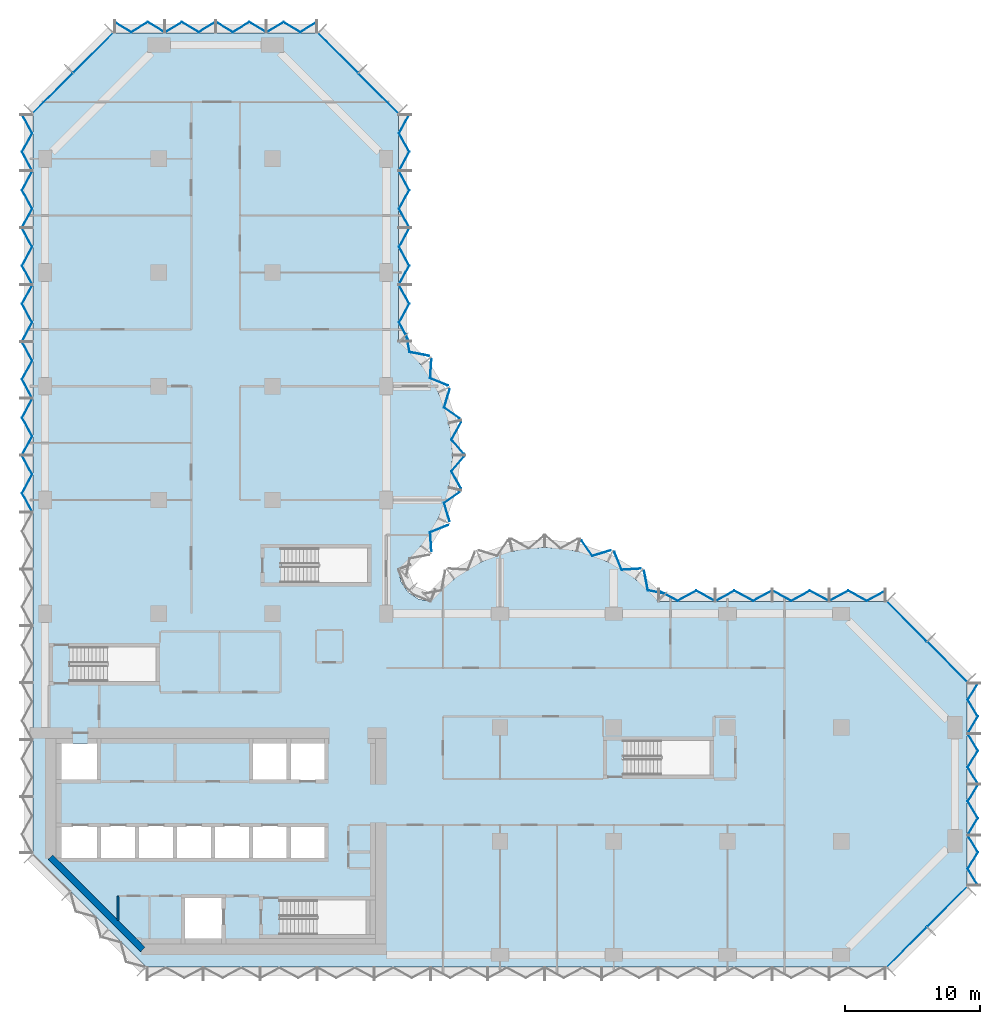
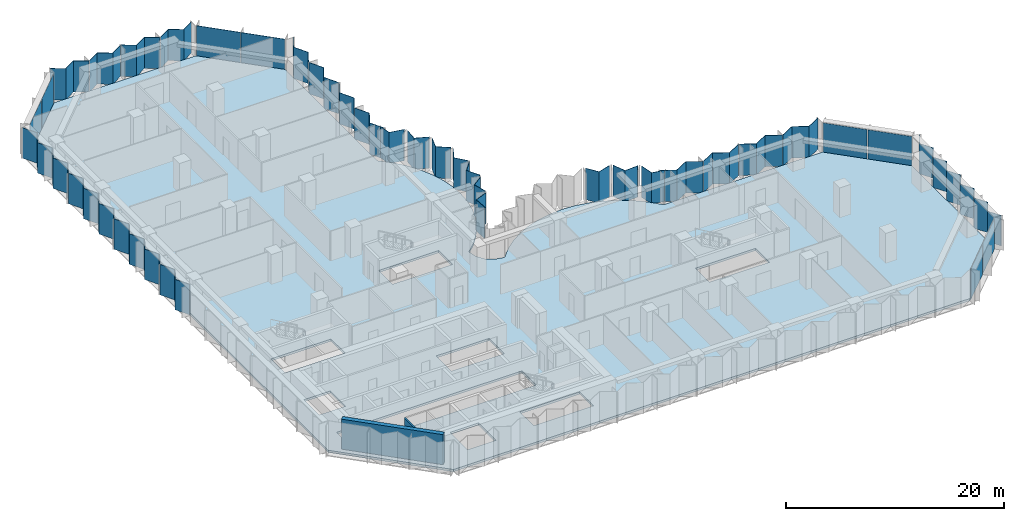
# One storey, part 6 of 13: 41 plates, 2 walls, 1 slab, 11 elements without a shape of their own.
"""IFC4 building model written with IfcOpenShell, lengths in metres."""

from ifc_helpers import new_model, si_unit, direction, frame, frame_2d, origin, place, context, subcontext, project, spatial, polyline, rectangle, outline, extrude, material, layer, layer_set, type_object, element, aggregate, save


model = new_model("IFC4")

# Units and contexts
model_context = context("Model", 3, precision=1e-05, world=origin(), true_north=direction((0.0, 1.0)))
body_context = subcontext(model_context, "Body", "Model", "MODEL_VIEW")
ifc_project = project(units=[si_unit("LENGTHUNIT", "METRE"), si_unit("AREAUNIT", "SQUARE_METRE"), si_unit("VOLUMEUNIT", "CUBIC_METRE"), si_unit("PLANEANGLEUNIT", "RADIAN"), si_unit("MASSUNIT", "GRAM", prefix="KILO")], contexts=[model_context])

# Site, building, storey
site_placement = place(None, origin())
site = spatial("IfcSite", under=ifc_project, at=site_placement, CompositionType="ELEMENT")
building_placement = place(site_placement, origin())
building = spatial("IfcBuilding", under=site, at=building_placement, Name="Brevane Broadcast Tower", CompositionType="ELEMENT")
storey_placement = place(building_placement, frame((0.0, 0.0, 131.300048828125)))
storey = spatial("IfcBuildingStorey", under=building, at=storey_placement, Name="L32", CompositionType="ELEMENT", Elevation=131.300048828125)

# Curtain wall, plates
ifc_material_1 = material(Name="Aluminium 6063-T6 bronze anodised", Category="aluminium")
curtain_wall_type = type_object("IfcCurtainWallType", Name="CW-1 curtain wall", PredefinedType="NOTDEFINED", material=ifc_material_1)
curtain_wall_1_placement = place(storey_placement, origin())
curtain_wall_1 = element("IfcCurtainWall", 1, at=curtain_wall_1_placement, inside=storey, type_object=curtain_wall_type, Name="CW-1 typical tilted unit L32 south-east chamfer", PredefinedType="NOTDEFINED")
ifc_material_2 = material(Name="Laminated glass bronze-tinted", Category="glass")
ifc_layer_1 = layer(ifc_material_2, 0.0400390625)
ifc_layer_set_1 = layer_set([ifc_layer_1], Name="CW tall glass panel 40")
plate_type = type_object("IfcPlateType", Name="CW tall glass panel 40", PredefinedType="CURTAIN_PANEL", material=ifc_layer_set_1)
plate_1_placement = place(storey_placement, frame((0.0, 0.0, -0.150146484375)))
plate_1 = element("IfcPlate", 2, at=plate_1_placement, type_object=plate_type, Name="CW-1 glass panel", PredefinedType="CURTAIN_PANEL", context=body_context, shape_type="SweptSolid", body=[
    extrude(outline(polyline([(62.14599609375, -0.896484375), (65.096435546875, 2.053955078125), (65.124755859375, 2.02587890625), (62.17431640625, -0.9248046875), (62.14599609375, -0.896484375)])), origin(), (0.0, 0.0, 1.0), 3.400146484375),
])
plate_2_placement = place(storey_placement, frame((0.0, 0.0, -0.150146484375)))
plate_2 = element("IfcPlate", 3, at=plate_2_placement, type_object=plate_type, Name="CW-1 glass panel", PredefinedType="CURTAIN_PANEL", context=body_context, shape_type="SweptSolid", body=[
    extrude(outline(polyline([(65.14599609375, 2.103515625), (68.096435546875, 5.053955078125), (68.124755859375, 5.02587890625), (65.17431640625, 2.0751953125), (65.14599609375, 2.103515625)])), origin(), (0.0, 0.0, 1.0), 3.400146484375),
])
aggregate(curtain_wall_1, [plate_1, plate_2])

curtain_wall_2_placement = place(storey_placement, origin())
curtain_wall_2 = element("IfcCurtainWall", 4, at=curtain_wall_2_placement, inside=storey, type_object=curtain_wall_type, Name="CW-1 typical tilted unit L32 east end", PredefinedType="NOTDEFINED")
plate_3_placement = place(storey_placement, frame((0.0, 0.0, -0.150146484375)))
plate_3 = element("IfcPlate", 5, at=plate_3_placement, type_object=plate_type, Name="CW-1 glass panel", PredefinedType="CURTAIN_PANEL", context=body_context, shape_type="SweptSolid", body=[
    extrude(outline(polyline([(68.87109375, 5.135009765625), (68.917724609375, 5.135009765625), (68.17333984375, 6.36181640625), (68.917724609375, 7.58837890625), (68.17333984375, 8.81494140625), (68.126708984375, 8.81494140625), (68.87109375, 7.58837890625), (68.126708984375, 6.36181640625), (68.87109375, 5.135009765625)])), origin(), (0.0, 0.0, 1.0), 3.400146484375),
])
plate_4_placement = place(storey_placement, frame((0.0, 0.0, -0.150146484375)))
plate_4 = element("IfcPlate", 6, at=plate_4_placement, type_object=plate_type, Name="CW-1 glass panel", PredefinedType="CURTAIN_PANEL", context=body_context, shape_type="SweptSolid", body=[
    extrude(outline(polyline([(68.126708984375, 8.885009765625), (68.17333984375, 8.885009765625), (68.917724609375, 10.11181640625), (68.17333984375, 11.33837890625), (68.917724609375, 12.56494140625), (68.87109375, 12.56494140625), (68.126708984375, 11.33837890625), (68.87109375, 10.11181640625), (68.126708984375, 8.885009765625)])), origin(), (0.0, 0.0, 1.0), 3.400146484375),
])
plate_5_placement = place(storey_placement, frame((0.0, 0.0, -0.150146484375)))
plate_5 = element("IfcPlate", 7, at=plate_5_placement, type_object=plate_type, Name="CW-1 glass panel", PredefinedType="CURTAIN_PANEL", context=body_context, shape_type="SweptSolid", body=[
    extrude(outline(polyline([(68.87109375, 12.635009765625), (68.917724609375, 12.635009765625), (68.17333984375, 13.86181640625), (68.917724609375, 15.08837890625), (68.17333984375, 16.31494140625), (68.126708984375, 16.31494140625), (68.87109375, 15.08837890625), (68.126708984375, 13.86181640625), (68.87109375, 12.635009765625)])), origin(), (0.0, 0.0, 1.0), 3.400146484375),
])
plate_6_placement = place(storey_placement, frame((0.0, 0.0, -0.150146484375)))
plate_6 = element("IfcPlate", 8, at=plate_6_placement, type_object=plate_type, Name="CW-1 glass panel", PredefinedType="CURTAIN_PANEL", context=body_context, shape_type="SweptSolid", body=[
    extrude(outline(polyline([(68.126708984375, 16.385009765625), (68.17333984375, 16.385009765625), (68.917724609375, 17.61181640625), (68.17333984375, 18.83837890625), (68.917724609375, 20.06494140625), (68.87109375, 20.06494140625), (68.126708984375, 18.83837890625), (68.87109375, 17.61181640625), (68.126708984375, 16.385009765625)])), origin(), (0.0, 0.0, 1.0), 3.400146484375),
])
aggregate(curtain_wall_2, [plate_3, plate_4, plate_5, plate_6])

curtain_wall_3_placement = place(storey_placement, origin())
curtain_wall_3 = element("IfcCurtainWall", 9, at=curtain_wall_3_placement, inside=storey, type_object=curtain_wall_type, Name="CW-1 typical tilted unit L32 north-east chamfer", PredefinedType="NOTDEFINED")
plate_7_placement = place(storey_placement, frame((0.0, 0.0, -0.150146484375)))
plate_7 = element("IfcPlate", 10, at=plate_7_placement, type_object=plate_type, Name="CW-1 glass panel", PredefinedType="CURTAIN_PANEL", context=body_context, shape_type="SweptSolid", body=[
    extrude(outline(polyline([(68.096435546875, 20.14599609375), (65.14599609375, 23.096435546875), (65.17431640625, 23.124755859375), (68.124755859375, 20.17431640625), (68.096435546875, 20.14599609375)])), origin(), (0.0, 0.0, 1.0), 3.400146484375),
])
plate_8_placement = place(storey_placement, frame((0.0, 0.0, -0.150146484375)))
plate_8 = element("IfcPlate", 11, at=plate_8_placement, type_object=plate_type, Name="CW-1 glass panel", PredefinedType="CURTAIN_PANEL", context=body_context, shape_type="SweptSolid", body=[
    extrude(outline(polyline([(65.096435546875, 23.14599609375), (62.14599609375, 26.096435546875), (62.17431640625, 26.124755859375), (65.124755859375, 23.17431640625), (65.096435546875, 23.14599609375)])), origin(), (0.0, 0.0, 1.0), 3.400146484375),
])
aggregate(curtain_wall_3, [plate_7, plate_8])

curtain_wall_4_placement = place(storey_placement, origin())
curtain_wall_4 = element("IfcCurtainWall", 12, at=curtain_wall_4_placement, inside=storey, type_object=curtain_wall_type, Name="CW-1 typical tilted unit L32 east arm north face", PredefinedType="NOTDEFINED")
plate_9_placement = place(storey_placement, frame((0.0, 0.0, -0.150146484375)))
plate_9 = element("IfcPlate", 13, at=plate_9_placement, type_object=plate_type, Name="CW-1 glass panel", PredefinedType="CURTAIN_PANEL", context=body_context, shape_type="SweptSolid", body=[
    extrude(outline(polyline([(62.06494140625, 26.87158203125), (62.06494140625, 26.9169921875), (60.688232421875, 26.172607421875), (59.311767578125, 26.9169921875), (57.93505859375, 26.172607421875), (57.93505859375, 26.127197265625), (59.311767578125, 26.87158203125), (60.688232421875, 26.127197265625), (62.06494140625, 26.87158203125)])), origin(), (0.0, 0.0, 1.0), 3.5),
])
plate_10_placement = place(storey_placement, frame((0.0, 0.0, -0.150146484375)))
plate_10 = element("IfcPlate", 14, at=plate_10_placement, type_object=plate_type, Name="CW-1 glass panel", PredefinedType="CURTAIN_PANEL", context=body_context, shape_type="SweptSolid", body=[
    extrude(outline(polyline([(57.864990234375, 26.127197265625), (57.864990234375, 26.172607421875), (56.48828125, 26.9169921875), (55.11181640625, 26.172607421875), (53.735107421875, 26.9169921875), (53.735107421875, 26.87158203125), (55.11181640625, 26.127197265625), (56.48828125, 26.87158203125), (57.864990234375, 26.127197265625)])), origin(), (0.0, 0.0, 1.0), 3.5),
])
plate_11_placement = place(storey_placement, frame((0.0, 0.0, -0.150146484375)))
plate_11 = element("IfcPlate", 15, at=plate_11_placement, type_object=plate_type, Name="CW-1 glass panel", PredefinedType="CURTAIN_PANEL", context=body_context, shape_type="SweptSolid", body=[
    extrude(outline(polyline([(53.6650390625, 26.87158203125), (53.6650390625, 26.9169921875), (52.288330078125, 26.172607421875), (50.91162109375, 26.9169921875), (49.534912109375, 26.172607421875), (49.534912109375, 26.127197265625), (50.91162109375, 26.87158203125), (52.288330078125, 26.127197265625), (53.6650390625, 26.87158203125)])), origin(), (0.0, 0.0, 1.0), 3.5),
])
plate_12_placement = place(storey_placement, frame((0.0, 0.0, -0.150146484375)))
plate_12 = element("IfcPlate", 16, at=plate_12_placement, type_object=plate_type, Name="CW-1 glass panel", PredefinedType="CURTAIN_PANEL", context=body_context, shape_type="SweptSolid", body=[
    extrude(outline(polyline([(49.465087890625, 26.127197265625), (49.465087890625, 26.172607421875), (48.08837890625, 26.9169921875), (46.711669921875, 26.172607421875), (45.3349609375, 26.9169921875), (45.3349609375, 26.87158203125), (46.711669921875, 26.127197265625), (48.08837890625, 26.87158203125), (49.465087890625, 26.127197265625)])), origin(), (0.0, 0.0, 1.0), 3.5),
])
aggregate(curtain_wall_4, [plate_9, plate_10, plate_11, plate_12])

curtain_wall_5_placement = place(storey_placement, origin())
curtain_wall_5 = element("IfcCurtainWall", 17, at=curtain_wall_5_placement, inside=storey, type_object=curtain_wall_type, Name="CW-1 typical tilted unit L32 east bow", PredefinedType="NOTDEFINED")
plate_13_placement = place(storey_placement, frame((0.0, 0.0, -0.150146484375)))
plate_13 = element("IfcPlate", 18, at=plate_13_placement, type_object=plate_type, Name="CW-1 glass panel", PredefinedType="CURTAIN_PANEL", context=body_context, shape_type="SweptSolid", body=[
    extrude(outline(polyline([(45.79150390625, 26.656005859375), (45.82470703125, 26.690185546875), (44.539306640625, 26.9423828125), (44.263916015625, 28.3857421875), (44.231201171875, 28.34375), (44.5048828125, 26.908203125), (45.79150390625, 26.656005859375)])), origin(), (0.0, 0.0, 1.0), 3.5),
])
plate_14_placement = place(storey_placement, frame((0.0, 0.0, -0.150146484375)))
plate_14 = element("IfcPlate", 19, at=plate_14_placement, type_object=plate_type, Name="CW-1 glass panel", PredefinedType="CURTAIN_PANEL", context=body_context, shape_type="SweptSolid", body=[
    extrude(outline(polyline([(43.950439453125, 28.5087890625), (43.9833984375, 28.551025390625), (42.601318359375, 28.462890625), (42.0703125, 29.76171875), (42.046875, 29.712890625), (42.5751953125, 28.42138671875), (43.950439453125, 28.5087890625)])), origin(), (0.0, 0.0, 1.0), 3.5),
])
plate_15_placement = place(storey_placement, frame((0.0, 0.0, -0.150146484375)))
plate_15 = element("IfcPlate", 20, at=plate_15_placement, type_object=plate_type, Name="CW-1 glass panel", PredefinedType="CURTAIN_PANEL", context=body_context, shape_type="SweptSolid", body=[
    extrude(outline(polyline([(41.75537109375, 29.851806640625), (41.778564453125, 29.900634765625), (40.435546875, 29.494384765625), (39.6328125, 30.622802734375), (39.62060546875, 30.57080078125), (40.41943359375, 29.44775390625), (41.75537109375, 29.851806640625)])), origin(), (0.0, 0.0, 1.0), 3.5),
])
aggregate(curtain_wall_5, [plate_13, plate_14, plate_15])

curtain_wall_6_placement = place(storey_placement, origin())
curtain_wall_6 = element("IfcCurtainWall", 21, at=curtain_wall_6_placement, inside=storey, type_object=curtain_wall_type, Name="CW-1 typical tilted unit L32 north bow", PredefinedType="NOTDEFINED")
plate_16_placement = place(storey_placement, frame((0.0, 0.0, -0.150146484375)))
plate_16 = element("IfcPlate", 22, at=plate_16_placement, type_object=plate_type, Name="CW-1 glass panel", PredefinedType="CURTAIN_PANEL", context=body_context, shape_type="SweptSolid", body=[
    extrude(outline(polyline([(28.5087890625, 29.849609375), (28.551025390625, 29.816650390625), (28.462890625, 31.198486328125), (29.76171875, 31.729736328125), (29.712890625, 31.753173828125), (28.42138671875, 31.224609375), (28.5087890625, 29.849609375)])), origin(), (0.0, 0.0, 1.0), 3.5),
])
plate_17_placement = place(storey_placement, frame((0.0, 0.0, -0.150146484375)))
plate_17 = element("IfcPlate", 23, at=plate_17_placement, type_object=plate_type, Name="CW-1 glass panel", PredefinedType="CURTAIN_PANEL", context=body_context, shape_type="SweptSolid", body=[
    extrude(outline(polyline([(29.851806640625, 32.044677734375), (29.900634765625, 32.021484375), (29.494384765625, 33.364501953125), (30.622802734375, 34.167236328125), (30.57080078125, 34.17919921875), (29.44775390625, 33.380615234375), (29.851806640625, 32.044677734375)])), origin(), (0.0, 0.0, 1.0), 3.5),
])
plate_18_placement = place(storey_placement, frame((0.0, 0.0, -0.150146484375)))
plate_18 = element("IfcPlate", 24, at=plate_18_placement, type_object=plate_type, Name="CW-1 glass panel", PredefinedType="CURTAIN_PANEL", context=body_context, shape_type="SweptSolid", body=[
    extrude(outline(polyline([(30.68798828125, 34.483642578125), (30.740478515625, 34.4716796875), (30.036376953125, 35.730224609375), (30.94921875, 36.7919921875), (30.896484375, 36.7919921875), (29.98779296875, 35.735107421875), (30.68798828125, 34.483642578125)])), origin(), (0.0, 0.0, 1.0), 3.5),
])
plate_19_placement = place(storey_placement, frame((0.0, 0.0, -0.150146484375)))
plate_19 = element("IfcPlate", 25, at=plate_19_placement, type_object=plate_type, Name="CW-1 glass panel", PredefinedType="CURTAIN_PANEL", context=body_context, shape_type="SweptSolid", body=[
    extrude(outline(polyline([(30.896484375, 37.008056640625), (30.94921875, 37.008056640625), (30.036376953125, 38.069580078125), (30.740478515625, 39.328369140625), (30.68798828125, 39.31640625), (29.98779296875, 38.064697265625), (30.896484375, 37.008056640625)])), origin(), (0.0, 0.0, 1.0), 3.5),
])
plate_20_placement = place(storey_placement, frame((0.0, 0.0, -0.150146484375)))
plate_20 = element("IfcPlate", 26, at=plate_20_placement, type_object=plate_type, Name="CW-1 glass panel", PredefinedType="CURTAIN_PANEL", context=body_context, shape_type="SweptSolid", body=[
    extrude(outline(polyline([(30.57080078125, 39.62060546875), (30.622802734375, 39.6328125), (29.494384765625, 40.435546875), (29.900634765625, 41.778564453125), (29.851806640625, 41.75537109375), (29.44775390625, 40.41943359375), (30.57080078125, 39.62060546875)])), origin(), (0.0, 0.0, 1.0), 3.5),
])
plate_21_placement = place(storey_placement, frame((0.0, 0.0, -0.150146484375)))
plate_21 = element("IfcPlate", 27, at=plate_21_placement, type_object=plate_type, Name="CW-1 glass panel", PredefinedType="CURTAIN_PANEL", context=body_context, shape_type="SweptSolid", body=[
    extrude(outline(polyline([(29.712890625, 42.046875), (29.76171875, 42.0703125), (28.462890625, 42.601318359375), (28.551025390625, 43.9833984375), (28.5087890625, 43.950439453125), (28.42138671875, 42.5751953125), (29.712890625, 42.046875)])), origin(), (0.0, 0.0, 1.0), 3.5),
])
plate_22_placement = place(storey_placement, frame((0.0, 0.0, -0.150146484375)))
plate_22 = element("IfcPlate", 28, at=plate_22_placement, type_object=plate_type, Name="CW-1 glass panel", PredefinedType="CURTAIN_PANEL", context=body_context, shape_type="SweptSolid", body=[
    extrude(outline(polyline([(28.34375, 44.231201171875), (28.3857421875, 44.263916015625), (26.9423828125, 44.539306640625), (26.690185546875, 45.82470703125), (26.656005859375, 45.79150390625), (26.908203125, 44.5048828125), (28.34375, 44.231201171875)])), origin(), (0.0, 0.0, 1.0), 3.5),
])
aggregate(curtain_wall_6, [plate_16, plate_17, plate_18, plate_19, plate_20, plate_21, plate_22])

curtain_wall_7_placement = place(storey_placement, origin())
curtain_wall_7 = element("IfcCurtainWall", 29, at=curtain_wall_7_placement, inside=storey, type_object=curtain_wall_type, Name="CW-1 typical tilted unit L32 north arm east face", PredefinedType="NOTDEFINED")
plate_23_placement = place(storey_placement, frame((0.0, 0.0, -0.150146484375)))
plate_23 = element("IfcPlate", 30, at=plate_23_placement, type_object=plate_type, Name="CW-1 glass panel", PredefinedType="CURTAIN_PANEL", context=body_context, shape_type="SweptSolid", body=[
    extrude(outline(polyline([(26.87158203125, 45.3349609375), (26.9169921875, 45.3349609375), (26.172607421875, 46.711669921875), (26.9169921875, 48.08837890625), (26.172607421875, 49.465087890625), (26.127197265625, 49.465087890625), (26.87158203125, 48.08837890625), (26.127197265625, 46.711669921875), (26.87158203125, 45.3349609375)])), origin(), (0.0, 0.0, 1.0), 3.5),
])
plate_24_placement = place(storey_placement, frame((0.0, 0.0, -0.150146484375)))
plate_24 = element("IfcPlate", 31, at=plate_24_placement, type_object=plate_type, Name="CW-1 glass panel", PredefinedType="CURTAIN_PANEL", context=body_context, shape_type="SweptSolid", body=[
    extrude(outline(polyline([(26.127197265625, 49.534912109375), (26.172607421875, 49.534912109375), (26.9169921875, 50.91162109375), (26.172607421875, 52.288330078125), (26.9169921875, 53.6650390625), (26.87158203125, 53.6650390625), (26.127197265625, 52.288330078125), (26.87158203125, 50.91162109375), (26.127197265625, 49.534912109375)])), origin(), (0.0, 0.0, 1.0), 3.5),
])
plate_25_placement = place(storey_placement, frame((0.0, 0.0, -0.150146484375)))
plate_25 = element("IfcPlate", 32, at=plate_25_placement, type_object=plate_type, Name="CW-1 glass panel", PredefinedType="CURTAIN_PANEL", context=body_context, shape_type="SweptSolid", body=[
    extrude(outline(polyline([(26.87158203125, 53.735107421875), (26.9169921875, 53.735107421875), (26.172607421875, 55.11181640625), (26.9169921875, 56.48828125), (26.172607421875, 57.864990234375), (26.127197265625, 57.864990234375), (26.87158203125, 56.48828125), (26.127197265625, 55.11181640625), (26.87158203125, 53.735107421875)])), origin(), (0.0, 0.0, 1.0), 3.5),
])
plate_26_placement = place(storey_placement, frame((0.0, 0.0, -0.150146484375)))
plate_26 = element("IfcPlate", 33, at=plate_26_placement, type_object=plate_type, Name="CW-1 glass panel", PredefinedType="CURTAIN_PANEL", context=body_context, shape_type="SweptSolid", body=[
    extrude(outline(polyline([(26.127197265625, 57.93505859375), (26.172607421875, 57.93505859375), (26.9169921875, 59.311767578125), (26.172607421875, 60.688232421875), (26.9169921875, 62.06494140625), (26.87158203125, 62.06494140625), (26.127197265625, 60.688232421875), (26.87158203125, 59.311767578125), (26.127197265625, 57.93505859375)])), origin(), (0.0, 0.0, 1.0), 3.5),
])
aggregate(curtain_wall_7, [plate_23, plate_24, plate_25, plate_26])

curtain_wall_8_placement = place(storey_placement, origin())
curtain_wall_8 = element("IfcCurtainWall", 34, at=curtain_wall_8_placement, inside=storey, type_object=curtain_wall_type, Name="CW-1 typical tilted unit L32 north arm north-east chamfer", PredefinedType="NOTDEFINED")
plate_27_placement = place(storey_placement, frame((0.0, 0.0, -0.150146484375)))
plate_27 = element("IfcPlate", 35, at=plate_27_placement, type_object=plate_type, Name="CW-1 glass panel", PredefinedType="CURTAIN_PANEL", context=body_context, shape_type="SweptSolid", body=[
    extrude(outline(polyline([(26.096435546875, 62.14599609375), (23.14599609375, 65.096435546875), (23.17431640625, 65.124755859375), (26.124755859375, 62.17431640625), (26.096435546875, 62.14599609375)])), origin(), (0.0, 0.0, 1.0), 3.5),
])
plate_28_placement = place(storey_placement, frame((0.0, 0.0, -0.150146484375)))
plate_28 = element("IfcPlate", 36, at=plate_28_placement, type_object=plate_type, Name="CW-1 glass panel", PredefinedType="CURTAIN_PANEL", context=body_context, shape_type="SweptSolid", body=[
    extrude(outline(polyline([(23.096435546875, 65.14599609375), (20.14599609375, 68.096435546875), (20.17431640625, 68.124755859375), (23.124755859375, 65.17431640625), (23.096435546875, 65.14599609375)])), origin(), (0.0, 0.0, 1.0), 3.5),
])
aggregate(curtain_wall_8, [plate_27, plate_28])

curtain_wall_9_placement = place(storey_placement, origin())
curtain_wall_9 = element("IfcCurtainWall", 37, at=curtain_wall_9_placement, inside=storey, type_object=curtain_wall_type, Name="CW-1 typical tilted unit L32 north end", PredefinedType="NOTDEFINED")
plate_29_placement = place(storey_placement, frame((0.0, 0.0, -0.150146484375)))
plate_29 = element("IfcPlate", 38, at=plate_29_placement, type_object=plate_type, Name="CW-1 glass panel", PredefinedType="CURTAIN_PANEL", context=body_context, shape_type="SweptSolid", body=[
    extrude(outline(polyline([(20.06494140625, 68.87109375), (20.06494140625, 68.917724609375), (18.83837890625, 68.17333984375), (17.61181640625, 68.917724609375), (16.385009765625, 68.17333984375), (16.385009765625, 68.126708984375), (17.61181640625, 68.87109375), (18.83837890625, 68.126708984375), (20.06494140625, 68.87109375)])), origin(), (0.0, 0.0, 1.0), 3.5),
])
plate_30_placement = place(storey_placement, frame((0.0, 0.0, -0.150146484375)))
plate_30 = element("IfcPlate", 39, at=plate_30_placement, type_object=plate_type, Name="CW-1 glass panel", PredefinedType="CURTAIN_PANEL", context=body_context, shape_type="SweptSolid", body=[
    extrude(outline(polyline([(16.31494140625, 68.126708984375), (16.31494140625, 68.17333984375), (15.08837890625, 68.917724609375), (13.86181640625, 68.17333984375), (12.635009765625, 68.917724609375), (12.635009765625, 68.87109375), (13.86181640625, 68.126708984375), (15.08837890625, 68.87109375), (16.31494140625, 68.126708984375)])), origin(), (0.0, 0.0, 1.0), 3.5),
])
plate_31_placement = place(storey_placement, frame((0.0, 0.0, -0.150146484375)))
plate_31 = element("IfcPlate", 40, at=plate_31_placement, type_object=plate_type, Name="CW-1 glass panel", PredefinedType="CURTAIN_PANEL", context=body_context, shape_type="SweptSolid", body=[
    extrude(outline(polyline([(12.56494140625, 68.87109375), (12.56494140625, 68.917724609375), (11.33837890625, 68.17333984375), (10.11181640625, 68.917724609375), (8.885009765625, 68.17333984375), (8.885009765625, 68.126708984375), (10.11181640625, 68.87109375), (11.33837890625, 68.126708984375), (12.56494140625, 68.87109375)])), origin(), (0.0, 0.0, 1.0), 3.5),
])
plate_32_placement = place(storey_placement, frame((0.0, 0.0, -0.150146484375)))
plate_32 = element("IfcPlate", 41, at=plate_32_placement, type_object=plate_type, Name="CW-1 glass panel", PredefinedType="CURTAIN_PANEL", context=body_context, shape_type="SweptSolid", body=[
    extrude(outline(polyline([(8.81494140625, 68.126708984375), (8.81494140625, 68.17333984375), (7.58837890625, 68.917724609375), (6.36181640625, 68.17333984375), (5.135009765625, 68.917724609375), (5.135009765625, 68.87109375), (6.36181640625, 68.126708984375), (7.58837890625, 68.87109375), (8.81494140625, 68.126708984375)])), origin(), (0.0, 0.0, 1.0), 3.5),
])
aggregate(curtain_wall_9, [plate_29, plate_30, plate_31, plate_32])

curtain_wall_10_placement = place(storey_placement, origin())
curtain_wall_10 = element("IfcCurtainWall", 42, at=curtain_wall_10_placement, inside=storey, type_object=curtain_wall_type, Name="CW-1 typical tilted unit L32 north-west chamfer", PredefinedType="NOTDEFINED")
plate_33_placement = place(storey_placement, frame((0.0, 0.0, -0.150146484375)))
plate_33 = element("IfcPlate", 43, at=plate_33_placement, type_object=plate_type, Name="CW-1 glass panel", PredefinedType="CURTAIN_PANEL", context=body_context, shape_type="SweptSolid", body=[
    extrude(outline(polyline([(5.053955078125, 68.096435546875), (2.103515625, 65.14599609375), (2.0751953125, 65.17431640625), (5.02587890625, 68.124755859375), (5.053955078125, 68.096435546875)])), origin(), (0.0, 0.0, 1.0), 3.400146484375),
])
plate_34_placement = place(storey_placement, frame((0.0, 0.0, -0.150146484375)))
plate_34 = element("IfcPlate", 44, at=plate_34_placement, type_object=plate_type, Name="CW-1 glass panel", PredefinedType="CURTAIN_PANEL", context=body_context, shape_type="SweptSolid", body=[
    extrude(outline(polyline([(2.053955078125, 65.096435546875), (-0.896484375, 62.14599609375), (-0.9248046875, 62.17431640625), (2.02587890625, 65.124755859375), (2.053955078125, 65.096435546875)])), origin(), (0.0, 0.0, 1.0), 3.400146484375),
])
aggregate(curtain_wall_10, [plate_33, plate_34])

curtain_wall_11_placement = place(storey_placement, origin())
curtain_wall_11 = element("IfcCurtainWall", 45, at=curtain_wall_11_placement, inside=storey, type_object=curtain_wall_type, Name="CW-1 typical tilted unit L32 west face", PredefinedType="NOTDEFINED")
plate_35_placement = place(storey_placement, frame((0.0, 0.0, -0.150146484375)))
plate_35 = element("IfcPlate", 46, at=plate_35_placement, type_object=plate_type, Name="CW-1 glass panel", PredefinedType="CURTAIN_PANEL", context=body_context, shape_type="SweptSolid", body=[
    extrude(outline(polyline([(-1.671630859375, 62.06494140625), (-1.717041015625, 62.06494140625), (-0.97265625, 60.688232421875), (-1.717041015625, 59.311767578125), (-0.97265625, 57.93505859375), (-0.92724609375, 57.93505859375), (-1.671630859375, 59.311767578125), (-0.92724609375, 60.688232421875), (-1.671630859375, 62.06494140625)])), origin(), (0.0, 0.0, 1.0), 3.400146484375),
])
plate_36_placement = place(storey_placement, frame((0.0, 0.0, -0.150146484375)))
plate_36 = element("IfcPlate", 47, at=plate_36_placement, type_object=plate_type, Name="CW-1 glass panel", PredefinedType="CURTAIN_PANEL", context=body_context, shape_type="SweptSolid", body=[
    extrude(outline(polyline([(-0.92724609375, 57.864990234375), (-0.97265625, 57.864990234375), (-1.717041015625, 56.48828125), (-0.97265625, 55.11181640625), (-1.717041015625, 53.735107421875), (-1.671630859375, 53.735107421875), (-0.92724609375, 55.11181640625), (-1.671630859375, 56.48828125), (-0.92724609375, 57.864990234375)])), origin(), (0.0, 0.0, 1.0), 3.400146484375),
])
plate_37_placement = place(storey_placement, frame((0.0, 0.0, -0.150146484375)))
plate_37 = element("IfcPlate", 48, at=plate_37_placement, type_object=plate_type, Name="CW-1 glass panel", PredefinedType="CURTAIN_PANEL", context=body_context, shape_type="SweptSolid", body=[
    extrude(outline(polyline([(-1.671630859375, 53.6650390625), (-1.717041015625, 53.6650390625), (-0.97265625, 52.288330078125), (-1.717041015625, 50.91162109375), (-0.97265625, 49.534912109375), (-0.92724609375, 49.534912109375), (-1.671630859375, 50.91162109375), (-0.92724609375, 52.288330078125), (-1.671630859375, 53.6650390625)])), origin(), (0.0, 0.0, 1.0), 3.400146484375),
])
plate_38_placement = place(storey_placement, frame((0.0, 0.0, -0.150146484375)))
plate_38 = element("IfcPlate", 49, at=plate_38_placement, type_object=plate_type, Name="CW-1 glass panel", PredefinedType="CURTAIN_PANEL", context=body_context, shape_type="SweptSolid", body=[
    extrude(outline(polyline([(-0.92724609375, 49.465087890625), (-0.97265625, 49.465087890625), (-1.717041015625, 48.08837890625), (-0.97265625, 46.711669921875), (-1.717041015625, 45.3349609375), (-1.671630859375, 45.3349609375), (-0.92724609375, 46.711669921875), (-1.671630859375, 48.08837890625), (-0.92724609375, 49.465087890625)])), origin(), (0.0, 0.0, 1.0), 3.400146484375),
])
plate_39_placement = place(storey_placement, frame((0.0, 0.0, -0.150146484375)))
plate_39 = element("IfcPlate", 50, at=plate_39_placement, type_object=plate_type, Name="CW-1 glass panel", PredefinedType="CURTAIN_PANEL", context=body_context, shape_type="SweptSolid", body=[
    extrude(outline(polyline([(-1.671630859375, 45.264892578125), (-1.717041015625, 45.264892578125), (-0.97265625, 43.88818359375), (-1.717041015625, 42.51171875), (-0.97265625, 41.135009765625), (-0.92724609375, 41.135009765625), (-1.671630859375, 42.51171875), (-0.92724609375, 43.88818359375), (-1.671630859375, 45.264892578125)])), origin(), (0.0, 0.0, 1.0), 3.400146484375),
])
plate_40_placement = place(storey_placement, frame((0.0, 0.0, -0.150146484375)))
plate_40 = element("IfcPlate", 51, at=plate_40_placement, type_object=plate_type, Name="CW-1 glass panel", PredefinedType="CURTAIN_PANEL", context=body_context, shape_type="SweptSolid", body=[
    extrude(outline(polyline([(-0.92724609375, 41.06494140625), (-0.97265625, 41.06494140625), (-1.717041015625, 39.688232421875), (-0.97265625, 38.311767578125), (-1.717041015625, 36.93505859375), (-1.671630859375, 36.93505859375), (-0.92724609375, 38.311767578125), (-1.671630859375, 39.688232421875), (-0.92724609375, 41.06494140625)])), origin(), (0.0, 0.0, 1.0), 3.400146484375),
])
plate_41_placement = place(storey_placement, frame((0.0, 0.0, -0.150146484375)))
plate_41 = element("IfcPlate", 52, at=plate_41_placement, type_object=plate_type, Name="CW-1 glass panel", PredefinedType="CURTAIN_PANEL", context=body_context, shape_type="SweptSolid", body=[
    extrude(outline(polyline([(-1.671630859375, 36.864990234375), (-1.717041015625, 36.864990234375), (-0.97265625, 35.48828125), (-1.717041015625, 34.11181640625), (-0.97265625, 32.735107421875), (-0.92724609375, 32.735107421875), (-1.671630859375, 34.11181640625), (-0.92724609375, 35.48828125), (-1.671630859375, 36.864990234375)])), origin(), (0.0, 0.0, 1.0), 3.400146484375),
])
aggregate(curtain_wall_11, [plate_35, plate_36, plate_37, plate_38, plate_39, plate_40, plate_41])

# Slab
ifc_material_3 = material(Name="Concrete C40/50", Category="concrete")
ifc_layer_2 = layer(ifc_material_3, 0.25)
ifc_layer_set_2 = layer_set([ifc_layer_2], Name="RC FLOOR SLAB 250 C40/50")
slab_type = type_object("IfcSlabType", Name="RC FLOOR SLAB 250 C40/50", PredefinedType="FLOOR", material=ifc_layer_set_2)
slab_placement = place(storey_placement, frame((0.0, 0.0, -0.25)))
element("IfcSlab", 53, at=slab_placement, inside=storey, type_object=slab_type, Name="SL250 L32", PredefinedType="FLOOR", context=body_context, shape_type="SweptSolid", body=[
    extrude(outline(polyline([(-0.89990234375, 7.5), (-0.89990234375, 62.10009765625), (5.10009765625, 68.10009765625), (20.10009765625, 68.10009765625), (26.10009765625, 62.10009765625), (26.10009765625, 45.300048828125), (27.10888671875, 44.36865234375), (27.99169921875, 43.317138671875), (28.734130859375, 42.162353515625), (29.324462890625, 40.922607421875), (29.7529296875, 39.618408203125), (30.012939453125, 38.270263671875), (30.10009765625, 36.89990234375), (30.012939453125, 35.52978515625), (29.7529296875, 34.181640625), (29.324462890625, 32.877197265625), (28.734130859375, 31.6376953125), (27.99169921875, 30.48291015625), (27.10888671875, 29.431396484375), (26.10009765625, 28.5), (26.28271484375, 27.58154296875), (26.802978515625, 26.802978515625), (27.58154296875, 26.28271484375), (28.5, 26.10009765625), (29.431396484375, 27.10888671875), (30.48291015625, 27.99169921875), (31.6376953125, 28.734130859375), (32.877197265625, 29.324462890625), (34.181640625, 29.7529296875), (35.52978515625, 30.012939453125), (36.89990234375, 30.10009765625), (38.270263671875, 30.012939453125), (39.618408203125, 29.7529296875), (40.922607421875, 29.324462890625), (42.162353515625, 28.734130859375), (43.317138671875, 27.99169921875), (44.36865234375, 27.10888671875), (45.300048828125, 26.10009765625), (62.10009765625, 26.10009765625), (68.10009765625, 20.10009765625), (68.10009765625, 5.10009765625), (62.10009765625, -0.89990234375), (7.5, -0.89990234375), (-0.89990234375, 7.5)]), holes=[polyline([(13.199951171875, 4.39990234375), (10.199951171875, 4.39990234375), (10.199951171875, 1.199951171875), (13.199951171875, 1.199951171875), (13.199951171875, 4.39990234375)]), polyline([(4.0, 9.60009765625), (1.199951171875, 9.60009765625), (1.199951171875, 7.0), (4.0, 7.0), (6.800048828125, 7.0), (9.60009765625, 7.0), (12.39990234375, 7.0), (15.199951171875, 7.0), (18.0, 7.0), (20.800048828125, 7.0), (20.800048828125, 9.60009765625), (18.0, 9.60009765625), (15.199951171875, 9.60009765625), (12.39990234375, 9.60009765625), (9.60009765625, 9.60009765625), (6.800048828125, 9.60009765625), (4.0, 9.60009765625)]), polyline([(4.0, 12.800048828125), (4.0, 15.60009765625), (1.199951171875, 15.60009765625), (1.199951171875, 12.800048828125), (4.0, 12.800048828125)]), polyline([(8.199951171875, 22.75), (1.860107421875, 22.75), (1.860107421875, 20.199951171875), (8.199951171875, 20.199951171875), (8.199951171875, 22.75)]), polyline([(23.699951171875, 4.050048828125), (17.360107421875, 4.050048828125), (17.360107421875, 1.5), (23.699951171875, 1.5), (23.699951171875, 4.050048828125)]), polyline([(18.0, 15.60009765625), (15.199951171875, 15.60009765625), (15.199951171875, 12.800048828125), (18.0, 12.800048828125), (20.800048828125, 12.800048828125), (20.800048828125, 15.60009765625), (18.0, 15.60009765625)]), polyline([(49.10009765625, 15.85009765625), (42.760009765625, 15.85009765625), (42.760009765625, 13.300048828125), (49.10009765625, 13.300048828125), (49.10009765625, 15.85009765625)]), polyline([(23.800048828125, 30.050048828125), (17.4599609375, 30.050048828125), (17.4599609375, 27.5), (23.800048828125, 27.5), (23.800048828125, 30.050048828125)])]), origin(), (0.0, 0.0, 1.0), 0.25),
])

# Walls
ifc_material_4 = material(Name="Gypsum board on steel studs", Category="steel")
ifc_layer_3 = layer(ifc_material_4, 0.14990234375)
ifc_layer_set_3 = layer_set([ifc_layer_3], Name="Core fire partition 150 mm")
wall_type_1 = type_object("IfcWallType", Name="Core fire partition 150 mm", PredefinedType="PARTITIONING", material=ifc_layer_set_3)
wall_1_placement = place(storey_placement, frame((5.39990234375, 2.553466796875, 0.0), z_axis=(0.0, 0.0, 1.0), x_axis=(0.0, 1.0, 0.0)))
element("IfcWall", 54, at=wall_1_placement, inside=storey, type_object=wall_type_1, Name="L32 partition wall P10", PredefinedType="PARTITIONING", context=body_context, shape_type="SweptSolid", body=[
    extrude(rectangle(XDim=1.796630859375, YDim=0.14990234375, at=frame_2d((0.8984375, 0.0))), origin(), (0.0, 0.0, 1.0), 3.349853515625),
])
ifc_material_5 = material(Name="Concrete C60/75", Category="concrete")
ifc_layer_4 = layer(ifc_material_5, 0.449951171875)
ifc_layer_set_4 = layer_set([ifc_layer_4], Name="Core wall 450 mm C60/75")
wall_type_2 = type_object("IfcWallType", Name="Core wall 450 mm C60/75", PredefinedType="SHEAR", material=ifc_layer_set_4)
wall_2_placement = place(storey_placement, frame((0.39990234375, 7.21826171875, 0.0), z_axis=(0.0, 0.0, 1.0), x_axis=(0.707106781187, -0.707106781187, 0.0)))
element("IfcWall", 55, at=wall_2_placement, inside=storey, type_object=wall_type_2, Name="L32 outer wall WC", PredefinedType="SHEAR", context=body_context, shape_type="SweptSolid", body=[
    extrude(rectangle(XDim=9.642578125, YDim=0.449951171875, at=frame_2d((4.8212890625, 0.0))), origin(), (0.0, 0.0, 1.0), 3.349853515625),
])

save(model, "model.ifc")
